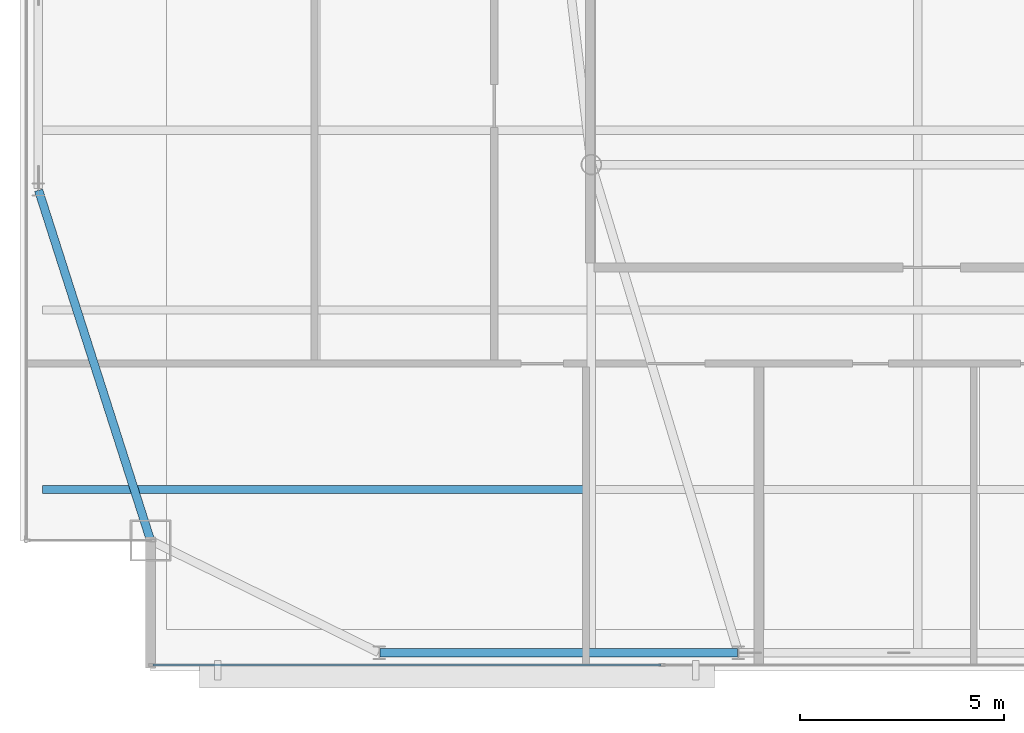
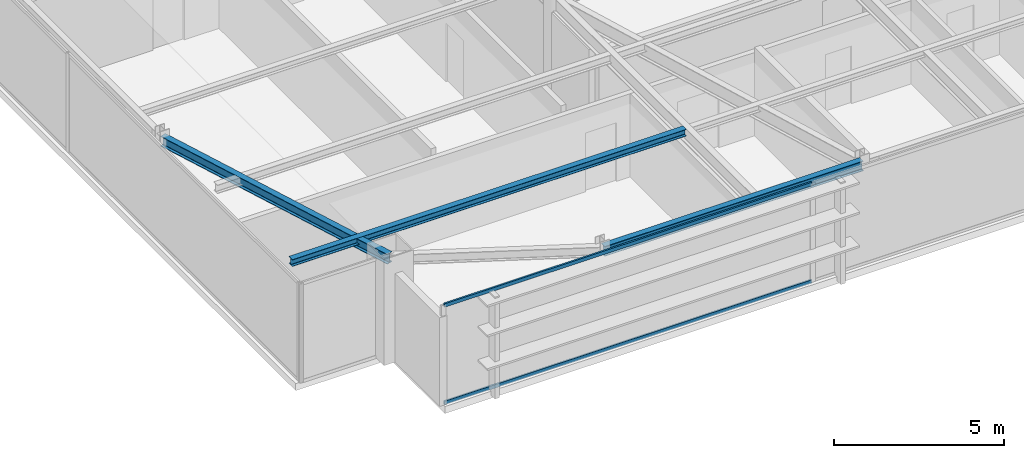
# One storey, part 5 of 24: 3 beams, 2 members, 1 element without a shape of its own.
"""IFC4 building model written with IfcOpenShell, lengths in metres."""

import ifcopenshell
import ifcopenshell.guid

model = None  # the IFC model being written
_history = None  # IfcOwnerHistory: only IFC2X3 demands one
_inside = {}  # id of a spatial element -> (the spatial element, [elements in it])
_under = {}  # id of a project, library or spatial element -> (it, [spatial elements below it])
_declared = {}  # id of a project -> (the project, [libraries it declares])
_typed = {}  # id of a type object -> (the type object, [elements of that type])
_made_of = {}  # id of a material, layer set ... -> (it, [elements and type objects made of it])


def new_model(schema):
    """Start an empty IFC model of exactly this schema.

    Asked for "IFC4X3", IfcOpenShell would pick the latest addendum, in which some entities
    have other attributes; the version numbers below select the first issue.
    IFC2X3 requires an IfcOwnerHistory on every rooted entity: one is made here for all.
    """
    global model, _history
    if schema == "IFC4X3":
        model = ifcopenshell.file(schema_version=(4, 3, 0, 0))
    else:
        model = ifcopenshell.file(schema=schema)
    _inside.clear()
    _under.clear()
    _declared.clear()
    _typed.clear()
    _made_of.clear()
    _history = None
    if model.schema == "IFC2X3":
        org = make("IfcOrganization", Name="unknown")
        user = make(
            "IfcPersonAndOrganization",
            ThePerson=make("IfcPerson", FamilyName="unknown"),
            TheOrganization=org,
        )
        app = make(
            "IfcApplication",
            ApplicationDeveloper=org,
            Version="unknown",
            ApplicationFullName="unknown",
            ApplicationIdentifier="unknown",
        )
        _history = make(
            "IfcOwnerHistory",
            OwningUser=user,
            OwningApplication=app,
            ChangeAction="ADDED",
            CreationDate=0,
        )
    return model


def make(cls, **values):
    """One entity of the class cls with the attributes given. An attribute that is None is left unset."""
    return model.create_entity(
        cls, **{name: value for name, value in values.items() if value is not None}
    )


def rooted(cls, **values):
    """An entity with a GlobalId (a new one), such as an element, a storey or a relation."""
    return make(cls, GlobalId=ifcopenshell.guid.new(), OwnerHistory=_history, **values)


def si_unit(unit_type, name, prefix=None):
    """IfcSIUnit, for example si_unit("LENGTHUNIT", "METRE", prefix="MILLI")."""
    return make("IfcSIUnit", UnitType=unit_type, Prefix=prefix, Name=name)


def assignment(units):
    """IfcUnitAssignment: the units of a project."""
    return None if units is None else make("IfcUnitAssignment", Units=units)


def point(xyz):
    """IfcCartesianPoint."""
    return None if xyz is None else make("IfcCartesianPoint", Coordinates=xyz)


def direction(xyz):
    """IfcDirection."""
    return None if xyz is None else make("IfcDirection", DirectionRatios=xyz)


def frame(location, z_axis=None, x_axis=None):
    """IfcAxis2Placement3D, a coordinate frame: its origin and axes. An axis left out is left unset."""
    return make(
        "IfcAxis2Placement3D",
        Location=point(location),
        Axis=direction(z_axis),
        RefDirection=direction(x_axis),
    )


def frame_2d(location, x_axis=None):
    """IfcAxis2Placement2D, a coordinate frame in the plane: its origin and x axis."""
    return make(
        "IfcAxis2Placement2D", Location=point(location), RefDirection=direction(x_axis)
    )


def origin():
    """The frame at (0, 0, 0) with its axes left unset."""
    return frame((0.0, 0.0, 0.0))


def origin_2d():
    """The frame at (0, 0) in the plane with its x axis left unset."""
    return frame_2d((0.0, 0.0))


def place(relative_to, where):
    """IfcLocalPlacement: puts the frame where relative to a parent placement (None: the world)."""
    return make(
        "IfcLocalPlacement", PlacementRelTo=relative_to, RelativePlacement=where
    )


def context(
    kind, dimensions, precision=None, world=None, true_north=None, identifier=None
):
    """IfcGeometricRepresentationContext, for example the 3D "Model" context."""
    return make(
        "IfcGeometricRepresentationContext",
        ContextIdentifier=identifier,
        ContextType=kind,
        CoordinateSpaceDimension=dimensions,
        Precision=precision,
        WorldCoordinateSystem=world,
        TrueNorth=true_north,
    )


def subcontext(parent, identifier, kind, view, scale=None):
    """IfcGeometricRepresentationSubContext, for example "Body" below "Model"."""
    return make(
        "IfcGeometricRepresentationSubContext",
        ContextIdentifier=identifier,
        ContextType=kind,
        ParentContext=parent,
        TargetScale=scale,
        TargetView=view,
    )


def project(units=None, contexts=None):
    """IfcProject with its units and contexts."""
    return rooted(
        "IfcProject",
        Name="project",
        RepresentationContexts=contexts,
        UnitsInContext=assignment(units),
    )


def spatial(cls, under=None, at=None, **own):
    """A site, building, storey or space (cls), placed at a placement, below another one or the project."""
    s = rooted(cls, ObjectPlacement=at, **own)
    if under is not None:
        _under.setdefault(under.id(), (under, []))[1].append(s)
    return s


def profile(cls, at=None, kind="AREA", **sizes):
    """A parametric profile (cls). Its sizes go by their IFC names, for example OverallWidth=200.0."""
    return make(cls, ProfileType=kind, Position=at, **sizes)


def hollow_rectangle(**sizes):
    """IfcRectangleHollowProfileDef."""
    return profile("IfcRectangleHollowProfileDef", **sizes)


def i_section(**sizes):
    """IfcIShapeProfileDef."""
    return profile("IfcIShapeProfileDef", **sizes)


def extrude(swept, where, along, depth):
    """IfcExtrudedAreaSolid: the profile swept, set in the frame where, extruded along a direction by depth."""
    return make(
        "IfcExtrudedAreaSolid",
        SweptArea=swept,
        Position=where,
        ExtrudedDirection=direction(along),
        Depth=depth,
    )


def shape(context_of_items, identifier, shape_type, items):
    """IfcShapeRepresentation: the items that make up one representation, for example the "Body"."""
    return make(
        "IfcShapeRepresentation",
        ContextOfItems=context_of_items,
        RepresentationIdentifier=identifier,
        RepresentationType=shape_type,
        Items=items,
    )


def source(mapping_origin, context_of_items, identifier, shape_type, items):
    """IfcRepresentationMap: a shape defined once, which mapped items show again and again."""
    return make(
        "IfcRepresentationMap",
        MappingOrigin=mapping_origin,
        MappedRepresentation=shape(context_of_items, identifier, shape_type, items),
    )


def transform(
    local_origin,
    x_axis=None,
    y_axis=None,
    z_axis=None,
    scale=None,
    scale2=None,
    scale3=None,
    uniform=True,
):
    """IfcCartesianTransformationOperator3D, or its non-uniform kind. x_axis, y_axis, z_axis: its Axis1, 2, 3."""
    if uniform:
        return make(
            "IfcCartesianTransformationOperator3D",
            Axis1=direction(x_axis),
            Axis2=direction(y_axis),
            LocalOrigin=point(local_origin),
            Scale=scale,
            Axis3=direction(z_axis),
        )
    return make(
        "IfcCartesianTransformationOperator3DnonUniform",
        Axis1=direction(x_axis),
        Axis2=direction(y_axis),
        LocalOrigin=point(local_origin),
        Scale=scale,
        Axis3=direction(z_axis),
        Scale2=scale2,
        Scale3=scale3,
    )


def mapped(mapping_source, mapping_target):
    """IfcMappedItem: shows the shape of a source again, moved by a transform."""
    return make(
        "IfcMappedItem", MappingSource=mapping_source, MappingTarget=mapping_target
    )


def material(Name=None, Category=None):
    """IfcMaterial."""
    return make("IfcMaterial", Name=Name, Category=Category)


def layer(
    of_material, thickness, ventilated=None, Name=None, Category=None, Priority=None
):
    """IfcMaterialLayer: one layer of a wall or slab, of a material (None: an air gap)."""
    return make(
        "IfcMaterialLayer",
        Material=of_material,
        LayerThickness=thickness,
        IsVentilated=ventilated,
        Name=Name,
        Category=Category,
        Priority=Priority,
    )


def layer_set(layers, Name=None):
    """IfcMaterialLayerSet."""
    return make("IfcMaterialLayerSet", MaterialLayers=layers, LayerSetName=Name)


def material_profile(
    of_material, cross_section, Name=None, Category=None, Priority=None
):
    """IfcMaterialProfile: a cross section and its material."""
    return make(
        "IfcMaterialProfile",
        Name=Name,
        Material=of_material,
        Profile=cross_section,
        Priority=Priority,
        Category=Category,
    )


def profile_set(profiles, Name=None, composite=None):
    """IfcMaterialProfileSet."""
    return make(
        "IfcMaterialProfileSet",
        Name=Name,
        MaterialProfiles=profiles,
        CompositeProfile=composite,
    )


def made_of(thing, what):
    """Note that an element or type object is made of a material, layer set ...; save() writes the relation."""
    if what is not None:
        _made_of.setdefault(what.id(), (what, []))[1].append(thing)
    return thing


def type_object(cls, material=None, **own):
    """A type object (cls), such as IfcWallType, which elements share."""
    return made_of(rooted(cls, **own), material)


def type_shapes(of_type, sources):
    """Give a type object the sources (RepresentationMaps) that its elements show as mapped items."""
    of_type.RepresentationMaps = sources


def element(
    cls,
    number,
    at=None,
    inside=None,
    cuts=None,
    type_object=None,
    material=None,
    context=None,
    identifier="Body",
    shape_type=None,
    held_by="IfcProductDefinitionShape",
    body=None,
    shapes=None,
    **own,
):
    """One element of the class cls, such as IfcWall. Its Tag is "e" and its number.

    at: its placement. inside: the storey or other place that contains it. cuts: it is an
    opening in that element (IfcRelVoidsElement). A single representation is given by context,
    identifier, shape_type and body (its items); several are given by shapes. held_by: the class
    of the entity that holds the representations. save() writes the other relations.
    """
    e = rooted(cls, Tag="e%d" % number, ObjectPlacement=at, **own)
    if body is not None:
        shapes = [shape(context, identifier, shape_type, body)]
    if shapes is not None:
        e.Representation = make(held_by, Representations=shapes)
    if inside is not None:
        _inside.setdefault(inside.id(), (inside, []))[1].append(e)
    if cuts is not None:
        rooted(
            "IfcRelVoidsElement", RelatingBuildingElement=cuts, RelatedOpeningElement=e
        )
    if type_object is not None:
        _typed.setdefault(type_object.id(), (type_object, []))[1].append(e)
    return made_of(e, material)


def aggregate(whole, parts):
    """IfcRelAggregates: a whole, such as a stair, and the parts it consists of."""
    return rooted("IfcRelAggregates", RelatingObject=whole, RelatedObjects=parts)


def save(model, path):
    """Write the relations noted so far, then the file.

    IfcRelAggregates (storeys below a building ...), IfcRelContainedInSpatialStructure (elements
    in a storey), IfcRelDefinesByType, IfcRelAssociatesMaterial and IfcRelDeclares: one each for
    every whole, place, type object, material and project.
    """
    for whole, parts in _under.values():
        aggregate(whole, parts)
    for where, things in _inside.values():
        rooted(
            "IfcRelContainedInSpatialStructure",
            RelatedElements=things,
            RelatingStructure=where,
        )
    for kind, things in _typed.values():
        rooted("IfcRelDefinesByType", RelatedObjects=things, RelatingType=kind)
    for what, things in _made_of.values():
        rooted("IfcRelAssociatesMaterial", RelatedObjects=things, RelatingMaterial=what)
    for by, libraries in _declared.values():
        rooted("IfcRelDeclares", RelatingContext=by, RelatedDefinitions=libraries)
    model.write(path)


model = new_model("IFC4")

# Units and contexts
model_context = context("Model", 3, precision=1e-05, world=origin(), true_north=direction((0.0, 1.0)))
body_context = subcontext(model_context, "Body", "Model", "MODEL_VIEW")
ifc_project = project(units=[si_unit("LENGTHUNIT", "METRE"), si_unit("AREAUNIT", "SQUARE_METRE"), si_unit("VOLUMEUNIT", "CUBIC_METRE"), si_unit("PLANEANGLEUNIT", "RADIAN"), si_unit("MASSUNIT", "GRAM", prefix="KILO")], contexts=[model_context])

# Site, building, storey
site_placement = place(None, origin())
site = spatial("IfcSite", under=ifc_project, at=site_placement, CompositionType="ELEMENT")
building_placement = place(site_placement, origin())
building = spatial("IfcBuilding", under=site, at=building_placement, Name="Varnel Quay Broadcast Tower", CompositionType="ELEMENT")
storey_placement = place(building_placement, frame((0.0, 0.0, 292.60009765625)))
storey = spatial("IfcBuildingStorey", under=building, at=storey_placement, Name="L73", CompositionType="ELEMENT", Elevation=292.60009765625)

# Beams
ifc_material_1 = material(Name="Structural Steel CSA G40.21 350W", Category="steel")
ifc_material_profile_1 = material_profile(ifc_material_1, i_section(OverallWidth=0.205078125, OverallDepth=0.35400390625, WebThickness=0.009521484375, FlangeThickness=0.016845703125, FilletRadius=0.012939453125, at=origin_2d()), Name="W360X79")
ifc_profile_set_1 = profile_set([ifc_material_profile_1], Name="Structural Steel CSA G40.21 350W")
beam_type_1 = type_object("IfcBeamType", Name="Beam_W360X79", PredefinedType="SPANDREL", material=ifc_profile_set_1)
shared_shape_1 = source(origin(), body_context, "Body", "SweptSolid", [
    extrude(i_section(OverallWidth=0.205078125, OverallDepth=0.35400390625, WebThickness=0.009521484375, FlangeThickness=0.016845703125, FilletRadius=0.012939453125, at=origin_2d()), origin(), (0.0, 0.0, 1.0), 8.760009765625),
])
beam_1_placement = place(storey_placement, frame((20.820068359375, 13.64990234375, 3.372802734375), z_axis=(1.0, 0.0, 0.0), x_axis=(0.0, 1.0, 0.0)))
element("IfcBeam", 1, at=beam_1_placement, inside=storey, type_object=beam_type_1, Name="L73 South Spandrel TC-S1-TC-S2", PredefinedType="SPANDREL", context=body_context, shape_type="MappedRepresentation", body=[
    mapped(shared_shape_1, transform((0.0, 0.0, 0.0), x_axis=(1.0, 0.0, 0.0), y_axis=(0.0, 1.0, 0.0), z_axis=(0.0, 0.0, 1.0), scale=1.0)),
])
shared_shape_2 = source(origin(), body_context, "Body", "SweptSolid", [
    extrude(i_section(OverallWidth=0.205078125, OverallDepth=0.35400390625, WebThickness=0.009521484375, FlangeThickness=0.016845703125, FilletRadius=0.012939453125, at=origin_2d()), origin(), (0.0, 0.0, 1.0), 8.989013671875),
])
type_shapes(beam_type_1, [shared_shape_1, shared_shape_2])
beam_2_placement = place(storey_placement, frame((15.19384765625, 16.4189453125, 3.372802734375), z_axis=(-0.304568770162, 0.952490348635, 0.0), x_axis=(-0.952490348635, -0.304568770162, 0.0)))
element("IfcBeam", 2, at=beam_2_placement, inside=storey, type_object=beam_type_1, Name="L73 West Spandrel MC-SW-TC-W1", PredefinedType="SPANDREL", context=body_context, shape_type="MappedRepresentation", body=[
    mapped(shared_shape_2, transform((0.0, 0.0, 0.0), x_axis=(1.0, 0.0, 0.0), y_axis=(0.0, 1.0, 0.0), z_axis=(0.0, 0.0, 1.0), scale=1.0)),
])
ifc_material_profile_2 = material_profile(ifc_material_1, i_section(OverallWidth=0.201904296875, OverallDepth=0.2470703125, WebThickness=0.00732421875, FlangeThickness=0.010986328125, FilletRadius=0.010986328125, at=origin_2d()), Name="W250X49")
ifc_profile_set_2 = profile_set([ifc_material_profile_2], Name="Structural Steel CSA G40.21 350W")
beam_type_2 = type_object("IfcBeamType", Name="Beam_W250X49", PredefinedType="JOIST", material=ifc_profile_set_2)
shared_shape_3 = source(origin(), body_context, "Body", "SweptSolid", [
    extrude(i_section(OverallWidth=0.201904296875, OverallDepth=0.2470703125, WebThickness=0.00732421875, FlangeThickness=0.010986328125, FilletRadius=0.010986328125, at=origin_2d()), origin(), (0.0, 0.0, 1.0), 13.351318359375),
])
type_shapes(beam_type_2, [shared_shape_3])
beam_3_placement = place(storey_placement, frame((12.547607421875, 17.64990234375, 3.426513671875), z_axis=(1.0, 0.0, 0.0), x_axis=(0.0, 1.0, 0.0)))
element("IfcBeam", 3, at=beam_3_placement, inside=storey, type_object=beam_type_2, Name="L73 West Floor Joist 1", PredefinedType="JOIST", context=body_context, shape_type="MappedRepresentation", body=[
    mapped(shared_shape_3, transform((0.0, 0.0, 0.0), x_axis=(1.0, 0.0, 0.0), y_axis=(0.0, 1.0, 0.0), z_axis=(0.0, 0.0, 1.0), scale=1.0)),
])

# Curtain wall, members
ifc_material_2 = material(Name="Anodised Bronze Aluminium 6063-T6", Category="aluminium")
ifc_layer = layer(ifc_material_2, 0.18994140625, Name="Anodised Bronze Aluminium 6063-T6")
ifc_layer_set = layer_set([ifc_layer], Name="Anodised Bronze Aluminium 6063-T6")
curtain_wall_type = type_object("IfcCurtainWallType", Name="CW_UpperTower", PredefinedType="NOTDEFINED", material=ifc_layer_set)
curtain_wall_placement = place(storey_placement, origin())
curtain_wall = element("IfcCurtainWall", 4, at=curtain_wall_placement, inside=storey, type_object=curtain_wall_type, Name="L73 South Unitised Curtain Wall 1", PredefinedType="NOTDEFINED")
ifc_material_profile_3 = material_profile(ifc_material_2, hollow_rectangle(XDim=0.06005859375, YDim=0.125, WallThickness=0.0029296875, at=origin_2d()), Name="ALU60X125X3")
ifc_profile_set_3 = profile_set([ifc_material_profile_3], Name="Anodised Bronze Aluminium 6063-T6")
member_type = type_object("IfcMemberType", Name="Tran_CWS-03", PredefinedType="USERDEFINED", material=ifc_profile_set_3)
shared_shape_4 = source(origin(), body_context, "Body", "SweptSolid", [
    extrude(hollow_rectangle(XDim=0.06005859375, YDim=0.125, WallThickness=0.0029296875, at=origin_2d()), origin(), (0.0, 0.0, 1.0), 12.43603515625),
])
type_shapes(member_type, [shared_shape_4])
member_1_placement = place(storey_placement, frame((15.264892578125, 13.35009765625, 0.02978515625), z_axis=(1.0, 0.0, 0.0), x_axis=(0.0, 1.0, 0.0)))
member_1 = element("IfcMember", 5, at=member_1_placement, type_object=member_type, Name="CWS-03 transom 1.1", ObjectType="TRANSOM", PredefinedType="USERDEFINED", context=body_context, shape_type="MappedRepresentation", body=[
    mapped(shared_shape_4, transform((0.0, 0.0, 0.0), x_axis=(1.0, 0.0, 0.0), y_axis=(0.0, 1.0, 0.0), z_axis=(0.0, 0.0, 1.0), scale=1.0)),
])
member_2_placement = place(storey_placement, frame((15.264892578125, 13.35009765625, 3.52001953125), z_axis=(1.0, 0.0, 0.0), x_axis=(0.0, 1.0, 0.0)))
member_2 = element("IfcMember", 6, at=member_2_placement, type_object=member_type, Name="CWS-03 transom 1.2", ObjectType="TRANSOM", PredefinedType="USERDEFINED", context=body_context, shape_type="MappedRepresentation", body=[
    mapped(shared_shape_4, transform((0.0, 0.0, 0.0), x_axis=(1.0, 0.0, 0.0), y_axis=(0.0, 1.0, 0.0), z_axis=(0.0, 0.0, 1.0), scale=1.0)),
])
aggregate(curtain_wall, [member_1, member_2])

save(model, "model.ifc")
